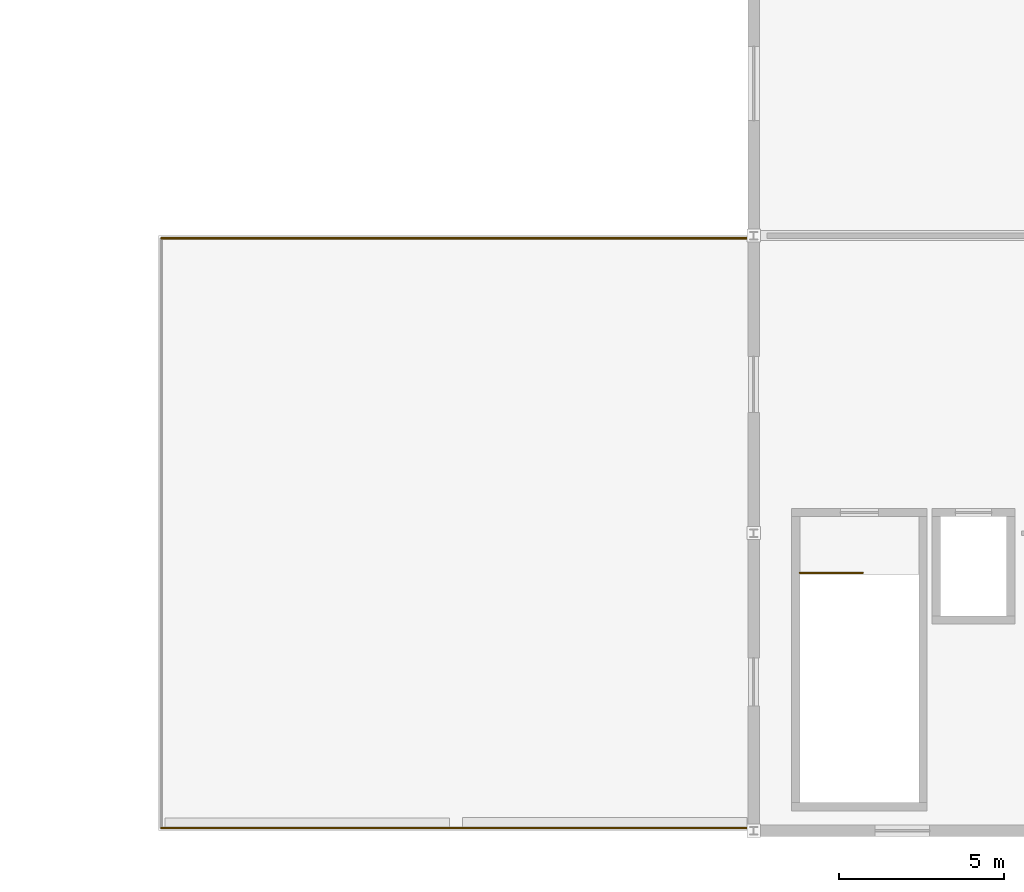
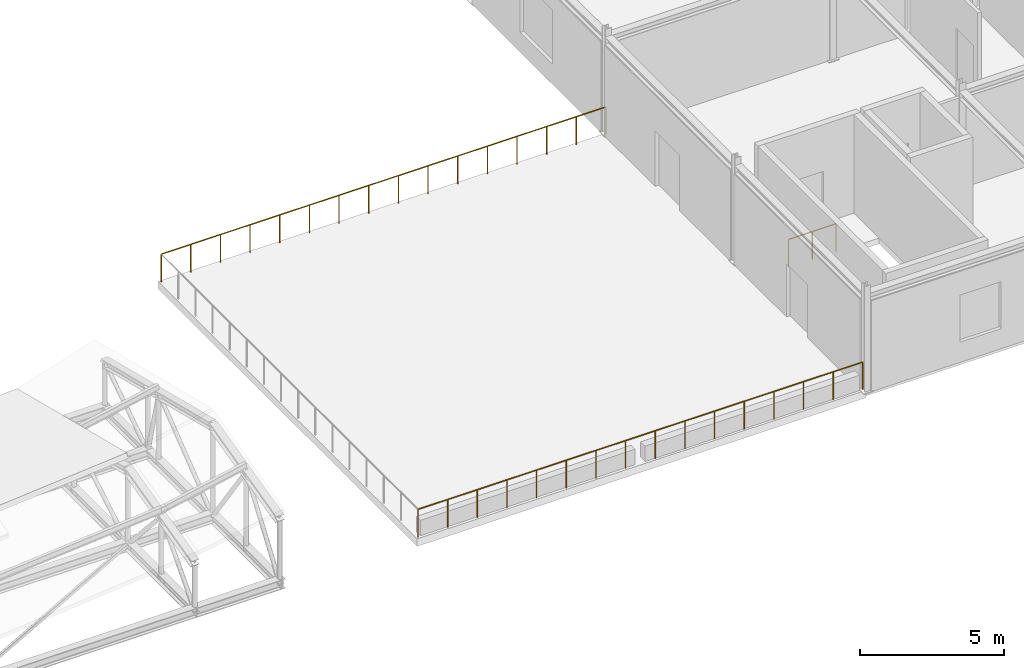
# One storey, part 54 of 55: 3 railings.
"""IFC4 building model written with IfcOpenShell, lengths in metres."""

from ifc_helpers import new_model, si_unit, direction, frame, origin, origin_2d, place, context, subcontext, project, spatial, circle, extrude, material, type_object, element, save


model = new_model("IFC4")

# Units and contexts
model_context = context("Model", 3, precision=1e-05, world=origin(), true_north=direction((0.0, 1.0)))
body_context = subcontext(model_context, "Body", "Model", "MODEL_VIEW")
ifc_project = project(units=[si_unit("LENGTHUNIT", "METRE"), si_unit("AREAUNIT", "SQUARE_METRE"), si_unit("VOLUMEUNIT", "CUBIC_METRE"), si_unit("PLANEANGLEUNIT", "RADIAN"), si_unit("MASSUNIT", "GRAM", prefix="KILO")], contexts=[model_context])

# Site, building, storey
site_placement = place(None, origin())
site = spatial("IfcSite", under=ifc_project, at=site_placement, CompositionType="ELEMENT")
building_placement = place(site_placement, origin())
building = spatial("IfcBuilding", under=site, at=building_placement, Name="Bozkorgan Art Gallery", CompositionType="ELEMENT")
storey_placement = place(building_placement, frame((0.0, 0.0, 15.0)))
storey = spatial("IfcBuildingStorey", under=building, at=storey_placement, Name="L03", CompositionType="ELEMENT", Elevation=15.0)

# Railings
ifc_material = material(Name="Steel S355J2", Category="steel")
railing_type_1 = type_object("IfcRailingType", Name="RAIL-BAL-01", PredefinedType="BALUSTRADE", material=ifc_material)
railing_1_placement = place(storey_placement, frame((128.080078125, 2.080078125, 0.0)))
element("IfcRailing", 1, at=railing_1_placement, inside=storey, type_object=railing_type_1, Name="L03 Courtyard Roof Terrace perimeter guard (S)", PredefinedType="BALUSTRADE", context=body_context, shape_type="SweptSolid", body=[
    extrude(circle(Radius=0.02392578125, at=origin_2d()), frame((0.0, 0.0, 1.17578125), z_axis=(1.0, 0.0, 0.0), x_axis=(0.0, 1.0, 0.0)), (0.0, 0.0, 1.0), 17.83984375),
    extrude(circle(Radius=0.02099609375, at=origin_2d()), origin(), (0.0, 0.0, 1.0), 1.15185546875),
    extrude(circle(Radius=0.02099609375, at=origin_2d()), frame((1.189208984375, 0.0, 0.0)), (0.0, 0.0, 1.0), 1.15185546875),
    extrude(circle(Radius=0.02099609375, at=origin_2d()), frame((2.378662109375, 0.0, 0.0)), (0.0, 0.0, 1.0), 1.15185546875),
    extrude(circle(Radius=0.02099609375, at=origin_2d()), frame((3.56787109375, 0.0, 0.0)), (0.0, 0.0, 1.0), 1.15185546875),
    extrude(circle(Radius=0.02099609375, at=origin_2d()), frame((4.75732421875, 0.0, 0.0)), (0.0, 0.0, 1.0), 1.15185546875),
    extrude(circle(Radius=0.02099609375, at=origin_2d()), frame((5.946533203125, 0.0, 0.0)), (0.0, 0.0, 1.0), 1.15185546875),
    extrude(circle(Radius=0.02099609375, at=origin_2d()), frame((7.135986328125, 0.0, 0.0)), (0.0, 0.0, 1.0), 1.15185546875),
    extrude(circle(Radius=0.02099609375, at=origin_2d()), frame((8.3251953125, 0.0, 0.0)), (0.0, 0.0, 1.0), 1.15185546875),
    extrude(circle(Radius=0.02099609375, at=origin_2d()), frame((9.5146484375, 0.0, 0.0)), (0.0, 0.0, 1.0), 1.15185546875),
    extrude(circle(Radius=0.02099609375, at=origin_2d()), frame((10.703857421875, 0.0, 0.0)), (0.0, 0.0, 1.0), 1.15185546875),
    extrude(circle(Radius=0.02099609375, at=origin_2d()), frame((11.893310546875, 0.0, 0.0)), (0.0, 0.0, 1.0), 1.15185546875),
    extrude(circle(Radius=0.02099609375, at=origin_2d()), frame((13.08251953125, 0.0, 0.0)), (0.0, 0.0, 1.0), 1.15185546875),
    extrude(circle(Radius=0.02099609375, at=origin_2d()), frame((14.27197265625, 0.0, 0.0)), (0.0, 0.0, 1.0), 1.15185546875),
    extrude(circle(Radius=0.02099609375, at=origin_2d()), frame((15.461181640625, 0.0, 0.0)), (0.0, 0.0, 1.0), 1.15185546875),
    extrude(circle(Radius=0.02099609375, at=origin_2d()), frame((16.650634765625, 0.0, 0.0)), (0.0, 0.0, 1.0), 1.15185546875),
    extrude(circle(Radius=0.02099609375, at=origin_2d()), frame((17.83984375, 0.0, 0.0)), (0.0, 0.0, 1.0), 1.15185546875),
])
railing_2_placement = place(storey_placement, frame((128.080078125, 19.919921875, 0.0)))
element("IfcRailing", 2, at=railing_2_placement, inside=storey, type_object=railing_type_1, Name="L03 Courtyard Roof Terrace perimeter guard (N)", PredefinedType="BALUSTRADE", context=body_context, shape_type="SweptSolid", body=[
    extrude(circle(Radius=0.02392578125, at=origin_2d()), frame((0.0, 0.0, 1.17578125), z_axis=(1.0, 0.0, 0.0), x_axis=(0.0, 1.0, 0.0)), (0.0, 0.0, 1.0), 17.83984375),
    extrude(circle(Radius=0.02099609375, at=origin_2d()), origin(), (0.0, 0.0, 1.0), 1.15185546875),
    extrude(circle(Radius=0.02099609375, at=origin_2d()), frame((1.189208984375, 0.0, 0.0)), (0.0, 0.0, 1.0), 1.15185546875),
    extrude(circle(Radius=0.02099609375, at=origin_2d()), frame((2.378662109375, 0.0, 0.0)), (0.0, 0.0, 1.0), 1.15185546875),
    extrude(circle(Radius=0.02099609375, at=origin_2d()), frame((3.56787109375, 0.0, 0.0)), (0.0, 0.0, 1.0), 1.15185546875),
    extrude(circle(Radius=0.02099609375, at=origin_2d()), frame((4.75732421875, 0.0, 0.0)), (0.0, 0.0, 1.0), 1.15185546875),
    extrude(circle(Radius=0.02099609375, at=origin_2d()), frame((5.946533203125, 0.0, 0.0)), (0.0, 0.0, 1.0), 1.15185546875),
    extrude(circle(Radius=0.02099609375, at=origin_2d()), frame((7.135986328125, 0.0, 0.0)), (0.0, 0.0, 1.0), 1.15185546875),
    extrude(circle(Radius=0.02099609375, at=origin_2d()), frame((8.3251953125, 0.0, 0.0)), (0.0, 0.0, 1.0), 1.15185546875),
    extrude(circle(Radius=0.02099609375, at=origin_2d()), frame((9.5146484375, 0.0, 0.0)), (0.0, 0.0, 1.0), 1.15185546875),
    extrude(circle(Radius=0.02099609375, at=origin_2d()), frame((10.703857421875, 0.0, 0.0)), (0.0, 0.0, 1.0), 1.15185546875),
    extrude(circle(Radius=0.02099609375, at=origin_2d()), frame((11.893310546875, 0.0, 0.0)), (0.0, 0.0, 1.0), 1.15185546875),
    extrude(circle(Radius=0.02099609375, at=origin_2d()), frame((13.08251953125, 0.0, 0.0)), (0.0, 0.0, 1.0), 1.15185546875),
    extrude(circle(Radius=0.02099609375, at=origin_2d()), frame((14.27197265625, 0.0, 0.0)), (0.0, 0.0, 1.0), 1.15185546875),
    extrude(circle(Radius=0.02099609375, at=origin_2d()), frame((15.461181640625, 0.0, 0.0)), (0.0, 0.0, 1.0), 1.15185546875),
    extrude(circle(Radius=0.02099609375, at=origin_2d()), frame((16.650634765625, 0.0, 0.0)), (0.0, 0.0, 1.0), 1.15185546875),
    extrude(circle(Radius=0.02099609375, at=origin_2d()), frame((17.83984375, 0.0, 0.0)), (0.0, 0.0, 1.0), 1.15185546875),
])
railing_type_2 = type_object("IfcRailingType", Name="RAIL-GRD-115", PredefinedType="GUARDRAIL", material=ifc_material)
railing_3_placement = place(storey_placement, frame((147.39990234375, 9.800048828125, 0.0)))
element("IfcRailing", 3, at=railing_3_placement, inside=storey, type_object=railing_type_2, Name="L03 ST4 top well guard 1", PredefinedType="GUARDRAIL", context=body_context, shape_type="SweptSolid", body=[
    extrude(circle(Radius=0.02392578125, at=origin_2d()), frame((0.0, 0.0, 1.17578125), z_axis=(1.0, 0.0, 0.0), x_axis=(0.0, 1.0, 0.0)), (0.0, 0.0, 1.0), 1.900146484375),
    extrude(circle(Radius=0.02099609375, at=origin_2d()), origin(), (0.0, 0.0, 1.0), 1.15185546875),
    extrude(circle(Radius=0.02099609375, at=origin_2d()), frame((0.9501953125, 0.0, 0.0)), (0.0, 0.0, 1.0), 1.15185546875),
    extrude(circle(Radius=0.02099609375, at=origin_2d()), frame((1.900146484375, 0.0, 0.0)), (0.0, 0.0, 1.0), 1.15185546875),
])

save(model, "model.ifc")
